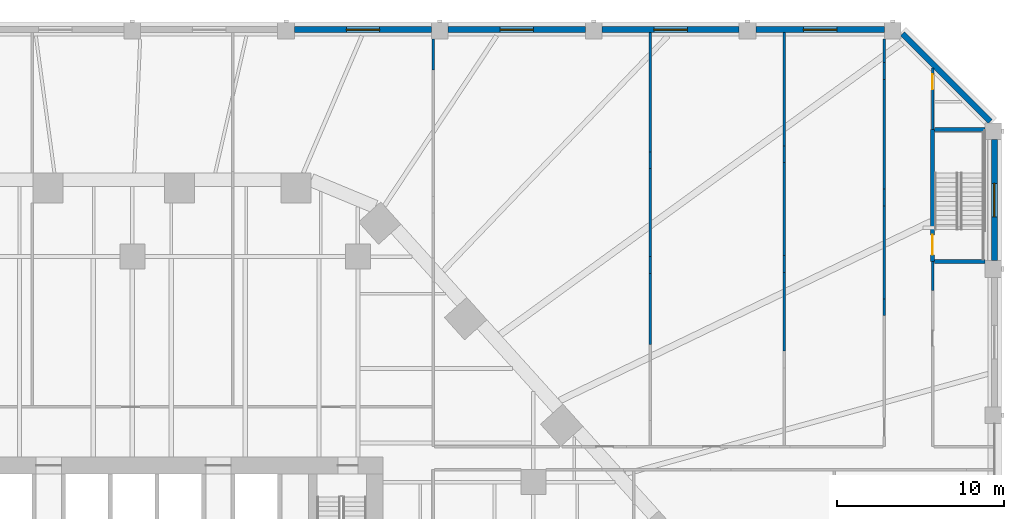
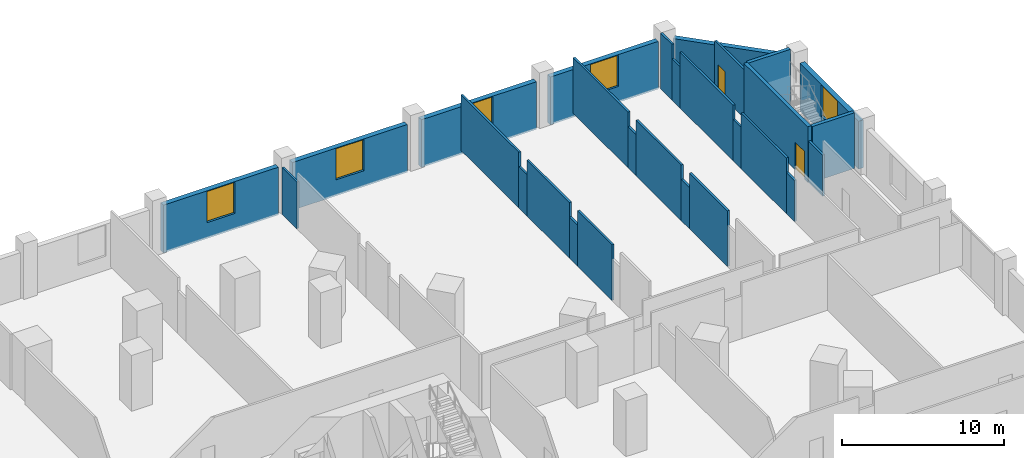
# One storey, part 22 of 33: 28 walls, 5 windows, 2 doors, 7 openings.
"""IFC4 building model written with IfcOpenShell, lengths in metres."""

from ifc_helpers import new_model, si_unit, direction, frame, frame_2d, origin, place, context, subcontext, project, spatial, rectangle, extrude, material, layer, layer_set, type_object, element, fill, save


model = new_model("IFC4")

# Units and contexts
model_context = context("Model", 3, precision=1e-05, world=origin(), true_north=direction((0.0, 1.0)))
body_context = subcontext(model_context, "Body", "Model", "MODEL_VIEW")
ifc_project = project(units=[si_unit("LENGTHUNIT", "METRE"), si_unit("AREAUNIT", "SQUARE_METRE"), si_unit("VOLUMEUNIT", "CUBIC_METRE"), si_unit("PLANEANGLEUNIT", "RADIAN"), si_unit("MASSUNIT", "GRAM", prefix="KILO")], contexts=[model_context])

# Site, building, storey
site_placement = place(None, origin())
site = spatial("IfcSite", under=ifc_project, at=site_placement, CompositionType="ELEMENT")
building_placement = place(site_placement, origin())
building = spatial("IfcBuilding", under=site, at=building_placement, Name="Isthmus Gate Tower", CompositionType="ELEMENT")
storey_placement = place(building_placement, frame((0.0, 0.0, 22.5)))
storey = spatial("IfcBuildingStorey", under=building, at=storey_placement, Name="L03", CompositionType="ELEMENT", Elevation=22.5)

# Walls
ifc_material_1 = material(Name="Fire-rated gypsum board on steel studs", Category="steel")
ifc_layer_1 = layer(ifc_material_1, 0.14990234375)
ifc_layer_set_1 = layer_set([ifc_layer_1], Name="Fire-rated partition 150 EI 60")
wall_type_1 = type_object("IfcWallType", Name="Fire-rated partition 150 EI 60", PredefinedType="PARTITIONING", material=ifc_layer_set_1)
wall_1_placement = place(storey_placement, frame((45.0, 23.458251953125, 0.0), z_axis=(0.0, 0.0, 1.0), x_axis=(0.0, 1.0, 0.0)))
element("IfcWall", 1, at=wall_1_placement, inside=storey, type_object=wall_type_1, Name="Fire-rated partition", PredefinedType="PARTITIONING", context=body_context, shape_type="SweptSolid", body=[
    extrude(rectangle(XDim=1.0, YDim=0.14990234375, at=frame_2d((0.5, 0.0))), origin(), (0.0, 0.0, 1.0), 3.111083984375),
])
wall_2_placement = place(storey_placement, frame((45.0, 24.458251953125, 0.0), z_axis=(0.0, 0.0, 1.0), x_axis=(0.0, 1.0, 0.0)))
element("IfcWall", 2, at=wall_2_placement, inside=storey, type_object=wall_type_1, Name="Fire-rated partition", PredefinedType="PARTITIONING", context=body_context, shape_type="SweptSolid", body=[
    extrude(rectangle(XDim=5.5693359375, YDim=0.14990234375, at=frame_2d((2.78466796875, 0.0))), origin(), (0.0, 0.0, 1.0), 4.199951171875),
])
wall_3_placement = place(storey_placement, frame((45.0, 30.027587890625, 0.0), z_axis=(0.0, 0.0, 1.0), x_axis=(0.0, 1.0, 0.0)))
element("IfcWall", 3, at=wall_3_placement, inside=storey, type_object=wall_type_1, Name="Fire-rated partition", PredefinedType="PARTITIONING", context=body_context, shape_type="SweptSolid", body=[
    extrude(rectangle(XDim=1.0, YDim=0.14990234375, at=frame_2d((0.5, 0.0))), origin(), (0.0, 0.0, 1.0), 3.111083984375),
])
wall_4_placement = place(storey_placement, frame((45.0, 31.027587890625, 0.0), z_axis=(0.0, 0.0, 1.0), x_axis=(0.0, 1.0, 0.0)))
element("IfcWall", 4, at=wall_4_placement, inside=storey, type_object=wall_type_1, Name="Fire-rated partition", PredefinedType="PARTITIONING", context=body_context, shape_type="SweptSolid", body=[
    extrude(rectangle(XDim=6.572509765625, YDim=0.14990234375, at=frame_2d((3.2861328125, 0.0))), origin(), (0.0, 0.0, 1.0), 4.199951171875),
])
wall_5_placement = place(storey_placement, frame((45.0, 37.60009765625, 0.0), z_axis=(0.0, 0.0, 1.0), x_axis=(0.0, 1.0, 0.0)))
element("IfcWall", 5, at=wall_5_placement, inside=storey, type_object=wall_type_1, Name="Fire-rated partition", PredefinedType="PARTITIONING", context=body_context, shape_type="SweptSolid", body=[
    extrude(rectangle(XDim=1.0, YDim=0.14990234375, at=frame_2d((0.5, 0.0))), origin(), (0.0, 0.0, 1.0), 3.111083984375),
])
wall_6_placement = place(storey_placement, frame((45.0, 38.60009765625, 0.0), z_axis=(0.0, 0.0, 1.0), x_axis=(0.0, 1.0, 0.0)))
element("IfcWall", 6, at=wall_6_placement, inside=storey, type_object=wall_type_1, Name="Fire-rated partition", PredefinedType="PARTITIONING", context=body_context, shape_type="SweptSolid", body=[
    extrude(rectangle(XDim=1.39990234375, YDim=0.14990234375, at=frame_2d((0.699951171875, 0.0))), origin(), (0.0, 0.0, 1.0), 4.199951171875),
])
wall_7_placement = place(storey_placement, frame((47.875, 24.9521484375, 0.0), z_axis=(0.0, 0.0, 1.0), x_axis=(0.0, 1.0, 0.0)))
element("IfcWall", 7, at=wall_7_placement, inside=storey, type_object=wall_type_1, Name="Fire-rated partition", PredefinedType="PARTITIONING", context=body_context, shape_type="SweptSolid", body=[
    extrude(rectangle(XDim=1.747802734375, YDim=0.14990234375, at=frame_2d((0.8740234375, 0.0))), origin(), (0.0, 0.0, 1.0), 3.111083984375),
])

# Wall, opening, door
wall_8_placement = place(storey_placement, frame((47.875, 34.60009765625, 0.0), z_axis=(0.0, 0.0, 1.0), x_axis=(0.0, 1.0, 0.0)))
wall_8 = element("IfcWall", 8, at=wall_8_placement, inside=storey, type_object=wall_type_1, Name="Fire-rated partition", PredefinedType="PARTITIONING", context=body_context, shape_type="SweptSolid", body=[
    extrude(rectangle(XDim=3.676513671875, YDim=0.14990234375, at=frame_2d((1.83837890625, 0.0))), origin(), (0.0, 0.0, 1.0), 3.66650390625),
])
opening_1_placement = place(wall_8_placement, frame((2.39990234375, 0.0, 0.0)))
opening_1 = element("IfcOpeningElement", 9, at=opening_1_placement, cuts=wall_8, Name="Opening DP03-06", PredefinedType="OPENING", context=body_context, shape_type="SweptSolid", body=[
    extrude(rectangle(XDim=0.89990234375, YDim=2.10009765625, at=frame_2d((0.449951171875, 1.050048828125))), frame((0.0, 0.0849609375, 0.0), z_axis=(0.0, -1.0, 0.0), x_axis=(1.0, 0.0, 0.0)), (0.0, 0.0, 1.0), 0.169921875),
])
ifc_material_2 = material(Name="Steel fire door with intumescent seals", Category="steel")
door_type_1 = type_object("IfcDoorType", Name="Fire door 900 x 2100", OperationType="SINGLE_SWING_LEFT", PredefinedType="DOOR", material=ifc_material_2)
door_1_placement = place(opening_1_placement, origin())
door_1 = element("IfcDoor", 10, at=door_1_placement, inside=storey, type_object=door_type_1, Name="Door DP03-06", OperationType="SINGLE_SWING_LEFT", OverallHeight=2.10009765625, OverallWidth=0.89990234375, PredefinedType="DOOR", context=body_context, shape_type="SweptSolid", body=[
    extrude(rectangle(XDim=0.89990234375, YDim=2.10009765625, at=frame_2d((0.449951171875, 1.050048828125))), frame((0.0, 0.02490234375, 0.0), z_axis=(0.0, -1.0, 0.0), x_axis=(1.0, 0.0, 0.0)), (0.0, 0.0, 1.0), 0.050048828125),
])
fill(opening_1, door_1)

# Wall, opening, window
ifc_material_3 = material(Name="Precast concrete C40/50, limestone-faced", Category="masonry")
ifc_layer_2 = layer(ifc_material_3, 0.35009765625)
ifc_layer_set_2 = layer_set([ifc_layer_2], Name="PODIUM CLADDING WALL 350")
wall_type_2 = type_object("IfcWallType", Name="PODIUM CLADDING WALL 350", PredefinedType="SOLIDWALL", material=ifc_layer_set_2)
wall_9_placement = place(storey_placement, frame((51.574951171875, 26.75, -0.300048828125), z_axis=(0.0, 0.0, 1.0), x_axis=(0.0, 1.0, 0.0)))
wall_9 = element("IfcWall", 11, at=wall_9_placement, inside=storey, type_object=wall_type_2, Name="PODIUM WALL", PredefinedType="SOLIDWALL", context=body_context, shape_type="SweptSolid", body=[
    extrude(rectangle(XDim=7.25, YDim=0.35009765625, at=frame_2d((3.625, 0.0))), origin(), (0.0, 0.0, 1.0), 3.60009765625),
])
opening_2_placement = place(wall_9_placement, frame((2.625, 0.0, 1.199951171875)))
opening_2 = element("IfcOpeningElement", 12, at=opening_2_placement, cuts=wall_9, Name="Opening W047", PredefinedType="OPENING", context=body_context, shape_type="SweptSolid", body=[
    extrude(rectangle(XDim=2.0, YDim=2.35009765625, at=frame_2d((1.0, 1.175048828125))), frame((0.0, 0.18505859375, 0.0), z_axis=(0.0, -1.0, 0.0), x_axis=(1.0, 0.0, 0.0)), (0.0, 0.0, 1.0), 0.3701171875),
])
ifc_material_4 = material(Name="Aluminium, pale champagne anodised, laminated glass", Category="aluminium")
window_type = type_object("IfcWindowType", Name="PODIUM SLOT WINDOW 2000 X 2350", PartitioningType="SINGLE_PANEL", PredefinedType="WINDOW", material=ifc_material_4)
window_1_placement = place(opening_2_placement, origin())
window_1 = element("IfcWindow", 13, at=window_1_placement, inside=storey, type_object=window_type, Name="SLOT WINDOW", OverallHeight=2.35009765625, OverallWidth=2.0, PartitioningType="SINGLE_PANEL", PredefinedType="WINDOW", context=body_context, shape_type="SweptSolid", body=[
    extrude(rectangle(XDim=2.0, YDim=2.35009765625, at=frame_2d((1.0, 1.175048828125))), frame((0.0, 0.030029296875, 0.0), z_axis=(0.0, -1.0, 0.0), x_axis=(1.0, 0.0, 0.0)), (0.0, 0.0, 1.0), 0.06005859375),
])
fill(opening_2, window_1)

# Wall
wall_10_placement = place(storey_placement, frame((51.327392578125, 35.071533203125, -0.300048828125), z_axis=(0.0, 0.0, 1.0), x_axis=(-0.707106781187, 0.707106781187, 0.0)))
element("IfcWall", 14, at=wall_10_placement, inside=storey, type_object=wall_type_2, Name="PODIUM WALL", PredefinedType="SOLIDWALL", context=body_context, shape_type="SweptSolid", body=[
    extrude(rectangle(XDim=7.432861328125, YDim=0.35009765625, at=frame_2d((3.71630859375, 0.0))), origin(), (0.0, 0.0, 1.0), 3.60009765625),
])

# Wall, opening, window
wall_11_placement = place(storey_placement, frame((45.0, 40.574951171875, -0.300048828125), z_axis=(0.0, 0.0, 1.0), x_axis=(-1.0, 0.0, 0.0)))
wall_11 = element("IfcWall", 15, at=wall_11_placement, inside=storey, type_object=wall_type_2, Name="PODIUM WALL", PredefinedType="SOLIDWALL", context=body_context, shape_type="SweptSolid", body=[
    extrude(rectangle(XDim=7.699951171875, YDim=0.35009765625, at=frame_2d((3.85009765625, 0.0))), origin(), (0.0, 0.0, 1.0), 3.60009765625),
])
opening_3_placement = place(wall_11_placement, frame((2.85009765625, 0.0, 1.199951171875)))
opening_3 = element("IfcOpeningElement", 16, at=opening_3_placement, cuts=wall_11, Name="Opening W048", PredefinedType="OPENING", context=body_context, shape_type="SweptSolid", body=[
    extrude(rectangle(XDim=2.0, YDim=2.35009765625, at=frame_2d((1.0, 1.175048828125))), frame((0.0, 0.18505859375, 0.0), z_axis=(0.0, -1.0, 0.0), x_axis=(1.0, 0.0, 0.0)), (0.0, 0.0, 1.0), 0.3701171875),
])
window_2_placement = place(opening_3_placement, origin())
window_2 = element("IfcWindow", 17, at=window_2_placement, inside=storey, type_object=window_type, Name="SLOT WINDOW", OverallHeight=2.35009765625, OverallWidth=2.0, PartitioningType="SINGLE_PANEL", PredefinedType="WINDOW", context=body_context, shape_type="SweptSolid", body=[
    extrude(rectangle(XDim=2.0, YDim=2.35009765625, at=frame_2d((1.0, 1.175048828125))), frame((0.0, 0.030029296875, 0.0), z_axis=(0.0, -1.0, 0.0), x_axis=(1.0, 0.0, 0.0)), (0.0, 0.0, 1.0), 0.06005859375),
])
fill(opening_3, window_2)

wall_12_placement = place(storey_placement, frame((36.300048828125, 40.574951171875, -0.300048828125), z_axis=(0.0, 0.0, 1.0), x_axis=(-1.0, 0.0, 0.0)))
wall_12 = element("IfcWall", 18, at=wall_12_placement, inside=storey, type_object=wall_type_2, Name="PODIUM WALL", PredefinedType="SOLIDWALL", context=body_context, shape_type="SweptSolid", body=[
    extrude(rectangle(XDim=8.199951171875, YDim=0.35009765625, at=frame_2d((4.10009765625, 0.0))), origin(), (0.0, 0.0, 1.0), 3.60009765625),
])
opening_4_placement = place(wall_12_placement, frame((3.10009765625, 0.0, 1.199951171875)))
opening_4 = element("IfcOpeningElement", 19, at=opening_4_placement, cuts=wall_12, Name="Opening W049", PredefinedType="OPENING", context=body_context, shape_type="SweptSolid", body=[
    extrude(rectangle(XDim=2.0, YDim=2.35009765625, at=frame_2d((1.0, 1.175048828125))), frame((0.0, 0.18505859375, 0.0), z_axis=(0.0, -1.0, 0.0), x_axis=(1.0, 0.0, 0.0)), (0.0, 0.0, 1.0), 0.3701171875),
])
window_3_placement = place(opening_4_placement, origin())
window_3 = element("IfcWindow", 20, at=window_3_placement, inside=storey, type_object=window_type, Name="SLOT WINDOW", OverallHeight=2.35009765625, OverallWidth=2.0, PartitioningType="SINGLE_PANEL", PredefinedType="WINDOW", context=body_context, shape_type="SweptSolid", body=[
    extrude(rectangle(XDim=2.0, YDim=2.35009765625, at=frame_2d((1.0, 1.175048828125))), frame((0.0, 0.030029296875, 0.0), z_axis=(0.0, -1.0, 0.0), x_axis=(1.0, 0.0, 0.0)), (0.0, 0.0, 1.0), 0.06005859375),
])
fill(opening_4, window_3)

wall_13_placement = place(storey_placement, frame((27.10009765625, 40.574951171875, -0.300048828125), z_axis=(0.0, 0.0, 1.0), x_axis=(-1.0, 0.0, 0.0)))
wall_13 = element("IfcWall", 21, at=wall_13_placement, inside=storey, type_object=wall_type_2, Name="PODIUM WALL", PredefinedType="SOLIDWALL", context=body_context, shape_type="SweptSolid", body=[
    extrude(rectangle(XDim=8.2001953125, YDim=0.35009765625, at=frame_2d((4.10009765625, 0.0))), origin(), (0.0, 0.0, 1.0), 3.60009765625),
])
opening_5_placement = place(wall_13_placement, frame((3.10009765625, 0.0, 1.199951171875)))
opening_5 = element("IfcOpeningElement", 22, at=opening_5_placement, cuts=wall_13, Name="Opening W050", PredefinedType="OPENING", context=body_context, shape_type="SweptSolid", body=[
    extrude(rectangle(XDim=2.0, YDim=2.35009765625, at=frame_2d((1.0, 1.175048828125))), frame((0.0, 0.18505859375, 0.0), z_axis=(0.0, -1.0, 0.0), x_axis=(1.0, 0.0, 0.0)), (0.0, 0.0, 1.0), 0.3701171875),
])
window_4_placement = place(opening_5_placement, origin())
window_4 = element("IfcWindow", 23, at=window_4_placement, inside=storey, type_object=window_type, Name="SLOT WINDOW", OverallHeight=2.35009765625, OverallWidth=2.0, PartitioningType="SINGLE_PANEL", PredefinedType="WINDOW", context=body_context, shape_type="SweptSolid", body=[
    extrude(rectangle(XDim=2.0, YDim=2.35009765625, at=frame_2d((1.0, 1.175048828125))), frame((0.0, 0.030029296875, 0.0), z_axis=(0.0, -1.0, 0.0), x_axis=(1.0, 0.0, 0.0)), (0.0, 0.0, 1.0), 0.06005859375),
])
fill(opening_5, window_4)

wall_14_placement = place(storey_placement, frame((17.89990234375, 40.574951171875, -0.300048828125), z_axis=(0.0, 0.0, 1.0), x_axis=(-1.0, 0.0, 0.0)))
wall_14 = element("IfcWall", 24, at=wall_14_placement, inside=storey, type_object=wall_type_2, Name="PODIUM WALL", PredefinedType="SOLIDWALL", context=body_context, shape_type="SweptSolid", body=[
    extrude(rectangle(XDim=8.199951171875, YDim=0.35009765625, at=frame_2d((4.10009765625, 0.0))), origin(), (0.0, 0.0, 1.0), 3.60009765625),
])
opening_6_placement = place(wall_14_placement, frame((3.10009765625, 0.0, 1.199951171875)))
opening_6 = element("IfcOpeningElement", 25, at=opening_6_placement, cuts=wall_14, Name="Opening W051", PredefinedType="OPENING", context=body_context, shape_type="SweptSolid", body=[
    extrude(rectangle(XDim=2.0, YDim=2.35009765625, at=frame_2d((1.0, 1.175048828125))), frame((0.0, 0.18505859375, 0.0), z_axis=(0.0, -1.0, 0.0), x_axis=(1.0, 0.0, 0.0)), (0.0, 0.0, 1.0), 0.3701171875),
])
window_5_placement = place(opening_6_placement, origin())
window_5 = element("IfcWindow", 26, at=window_5_placement, inside=storey, type_object=window_type, Name="SLOT WINDOW", OverallHeight=2.35009765625, OverallWidth=2.0, PartitioningType="SINGLE_PANEL", PredefinedType="WINDOW", context=body_context, shape_type="SweptSolid", body=[
    extrude(rectangle(XDim=2.0, YDim=2.35009765625, at=frame_2d((1.0, 1.175048828125))), frame((0.0, 0.030029296875, 0.0), z_axis=(0.0, -1.0, 0.0), x_axis=(1.0, 0.0, 0.0)), (0.0, 0.0, 1.0), 0.06005859375),
])
fill(opening_6, window_5)

# Walls
ifc_material_5 = material(Name="Gypsum board on cold-formed steel studs", Category="steel")
ifc_layer_3 = layer(ifc_material_5, 0.14990234375)
ifc_layer_set_3 = layer_set([ifc_layer_3])
wall_type_3 = type_object("IfcWallType", Name="Partition 150 gypsum board on steel studs", PredefinedType="PARTITIONING", material=ifc_layer_set_3)
wall_15_placement = place(storey_placement, frame((18.0, 38.170166015625, 0.0), z_axis=(0.0, 0.0, 1.0), x_axis=(0.0, 1.0, 0.0)))
element("IfcWall", 27, at=wall_15_placement, inside=storey, type_object=wall_type_3, Name="Partition", PredefinedType="PARTITIONING", context=body_context, shape_type="SweptSolid", body=[
    extrude(rectangle(XDim=1.829833984375, YDim=0.14990234375, at=frame_2d((0.9150390625, 0.0))), origin(), (0.0, 0.0, 1.0), 3.5205078125),
])
wall_16_placement = place(storey_placement, frame((31.0, 21.740478515625, 0.0), z_axis=(0.0, 0.0, 1.0), x_axis=(0.0, 1.0, 0.0)))
element("IfcWall", 28, at=wall_16_placement, inside=storey, type_object=wall_type_3, Name="Partition", PredefinedType="PARTITIONING", context=body_context, shape_type="SweptSolid", body=[
    extrude(rectangle(XDim=4.252685546875, YDim=0.14990234375, at=frame_2d((2.12646484375, 0.0))), origin(), (0.0, 0.0, 1.0), 4.199951171875),
])
wall_17_placement = place(storey_placement, frame((31.0, 25.9931640625, 0.0), z_axis=(0.0, 0.0, 1.0), x_axis=(0.0, 1.0, 0.0)))
element("IfcWall", 29, at=wall_17_placement, inside=storey, type_object=wall_type_3, Name="Partition", PredefinedType="PARTITIONING", context=body_context, shape_type="SweptSolid", body=[
    extrude(rectangle(XDim=1.0, YDim=0.14990234375, at=frame_2d((0.5, 0.0))), origin(), (0.0, 0.0, 1.0), 3.111083984375),
])
wall_18_placement = place(storey_placement, frame((31.0, 26.9931640625, 0.0), z_axis=(0.0, 0.0, 1.0), x_axis=(0.0, 1.0, 0.0)))
element("IfcWall", 30, at=wall_18_placement, inside=storey, type_object=wall_type_3, Name="Partition", PredefinedType="PARTITIONING", context=body_context, shape_type="SweptSolid", body=[
    extrude(rectangle(XDim=5.2744140625, YDim=0.14990234375, at=frame_2d((2.63720703125, 0.0))), origin(), (0.0, 0.0, 1.0), 4.199951171875),
])
wall_19_placement = place(storey_placement, frame((31.0, 32.267578125, 0.0), z_axis=(0.0, 0.0, 1.0), x_axis=(0.0, 1.0, 0.0)))
element("IfcWall", 31, at=wall_19_placement, inside=storey, type_object=wall_type_3, Name="Partition", PredefinedType="PARTITIONING", context=body_context, shape_type="SweptSolid", body=[
    extrude(rectangle(XDim=1.0, YDim=0.14990234375, at=frame_2d((0.5, 0.0))), origin(), (0.0, 0.0, 1.0), 3.111083984375),
])
wall_20_placement = place(storey_placement, frame((31.0, 33.267578125, 0.0), z_axis=(0.0, 0.0, 1.0), x_axis=(0.0, 1.0, 0.0)))
element("IfcWall", 32, at=wall_20_placement, inside=storey, type_object=wall_type_3, Name="Partition", PredefinedType="PARTITIONING", context=body_context, shape_type="SweptSolid", body=[
    extrude(rectangle(XDim=7.13232421875, YDim=0.14990234375, at=frame_2d((3.566162109375, 0.0))), origin(), (0.0, 0.0, 1.0), 4.199951171875),
])
wall_21_placement = place(storey_placement, frame((39.0, 21.34033203125, 0.0), z_axis=(0.0, 0.0, 1.0), x_axis=(0.0, 1.0, 0.0)))
element("IfcWall", 33, at=wall_21_placement, inside=storey, type_object=wall_type_3, Name="Partition", PredefinedType="PARTITIONING", context=body_context, shape_type="SweptSolid", body=[
    extrude(rectangle(XDim=4.707275390625, YDim=0.14990234375, at=frame_2d((2.353515625, 0.0))), origin(), (0.0, 0.0, 1.0), 4.199951171875),
])
wall_22_placement = place(storey_placement, frame((39.0, 26.047607421875, 0.0), z_axis=(0.0, 0.0, 1.0), x_axis=(0.0, 1.0, 0.0)))
element("IfcWall", 34, at=wall_22_placement, inside=storey, type_object=wall_type_3, Name="Partition", PredefinedType="PARTITIONING", context=body_context, shape_type="SweptSolid", body=[
    extrude(rectangle(XDim=1.0, YDim=0.14990234375, at=frame_2d((0.5, 0.0))), origin(), (0.0, 0.0, 1.0), 3.111083984375),
])
wall_23_placement = place(storey_placement, frame((39.0, 27.047607421875, 0.0), z_axis=(0.0, 0.0, 1.0), x_axis=(0.0, 1.0, 0.0)))
element("IfcWall", 35, at=wall_23_placement, inside=storey, type_object=wall_type_3, Name="Partition", PredefinedType="PARTITIONING", context=body_context, shape_type="SweptSolid", body=[
    extrude(rectangle(XDim=5.578125, YDim=0.14990234375, at=frame_2d((2.7890625, 0.0))), origin(), (0.0, 0.0, 1.0), 4.199951171875),
])
wall_24_placement = place(storey_placement, frame((39.0, 32.625732421875, 0.0), z_axis=(0.0, 0.0, 1.0), x_axis=(0.0, 1.0, 0.0)))
element("IfcWall", 36, at=wall_24_placement, inside=storey, type_object=wall_type_3, Name="Partition", PredefinedType="PARTITIONING", context=body_context, shape_type="SweptSolid", body=[
    extrude(rectangle(XDim=1.0, YDim=0.14990234375, at=frame_2d((0.5, 0.0))), origin(), (0.0, 0.0, 1.0), 3.111083984375),
])
wall_25_placement = place(storey_placement, frame((39.0, 33.625732421875, 0.0), z_axis=(0.0, 0.0, 1.0), x_axis=(0.0, 1.0, 0.0)))
element("IfcWall", 37, at=wall_25_placement, inside=storey, type_object=wall_type_3, Name="Partition", PredefinedType="PARTITIONING", context=body_context, shape_type="SweptSolid", body=[
    extrude(rectangle(XDim=6.774169921875, YDim=0.14990234375, at=frame_2d((3.38720703125, 0.0))), origin(), (0.0, 0.0, 1.0), 4.199951171875),
])
ifc_material_6 = material(Name="Concrete f'c 40 MPa", Category="concrete")
ifc_layer_4 = layer(ifc_material_6, 0.25)
ifc_layer_set_4 = layer_set([ifc_layer_4])
wall_type_4 = type_object("IfcWallType", Name="Stair shaft wall 250 reinforced concrete", PredefinedType="SHEAR", material=ifc_layer_set_4)
for number, where, z_axis, x_axis, name in (
    (38, (48.0, 26.699951171875, 0.0), (0.0, 0.0, 1.0), (1.0, 0.0, 0.0), "Stair shaft wall"),
    (39, (48.0, 34.60009765625, 0.0), (0.0, 0.0, 1.0), (1.0, 0.0, 0.0), "Stair shaft wall"),
):
    element("IfcWall", number, at=place(storey_placement, frame(where, z_axis=z_axis, x_axis=x_axis)), inside=storey, type_object=wall_type_4, Name=name, PredefinedType="SHEAR", context=body_context, shape_type="SweptSolid", body=[
        extrude(rectangle(XDim=3.0, YDim=0.25, at=frame_2d((1.5, 0.0))), origin(), (0.0, 0.0, 1.0), 4.199951171875),
    ])

# Wall, opening, door
wall_26_placement = place(storey_placement, frame((47.875, 26.699951171875, 0.0), z_axis=(0.0, 0.0, 1.0), x_axis=(0.0, 1.0, 0.0)))
wall_26 = element("IfcWall", 40, at=wall_26_placement, inside=storey, type_object=wall_type_4, Name="Stair shaft wall", PredefinedType="SHEAR", context=body_context, shape_type="SweptSolid", body=[
    extrude(rectangle(XDim=7.900146484375, YDim=0.25, at=frame_2d((3.9501953125, 0.0))), origin(), (0.0, 0.0, 1.0), 4.199951171875),
])
opening_7_placement = place(wall_26_placement, frame((0.39990234375, 0.0, 0.0)))
opening_7 = element("IfcOpeningElement", 41, at=opening_7_placement, cuts=wall_26, Name="Opening DP03-04", PredefinedType="OPENING", context=body_context, shape_type="SweptSolid", body=[
    extrude(rectangle(XDim=1.199951171875, YDim=2.10009765625, at=frame_2d((0.60009765625, 1.050048828125))), frame((0.0, 0.135009765625, 0.0), z_axis=(0.0, -1.0, 0.0), x_axis=(1.0, 0.0, 0.0)), (0.0, 0.0, 1.0), 0.27001953125),
])
ifc_material_7 = material(Name="Steel fire door with intumescent seals", Category="steel")
door_type_2 = type_object("IfcDoorType", Name="Fire door 1200 x 2100", OperationType="SINGLE_SWING_LEFT", PredefinedType="DOOR", material=ifc_material_7)
door_2_placement = place(opening_7_placement, origin())
door_2 = element("IfcDoor", 42, at=door_2_placement, inside=storey, type_object=door_type_2, Name="Door DP03-04", OperationType="SINGLE_SWING_LEFT", OverallHeight=2.10009765625, OverallWidth=1.199951171875, PredefinedType="DOOR", context=body_context, shape_type="SweptSolid", body=[
    extrude(rectangle(XDim=1.199951171875, YDim=2.10009765625, at=frame_2d((0.60009765625, 1.050048828125))), frame((0.0, 0.02490234375, 0.0), z_axis=(0.0, -1.0, 0.0), x_axis=(1.0, 0.0, 0.0)), (0.0, 0.0, 1.0), 0.050048828125),
])
fill(opening_7, door_2)

save(model, "model.ifc")
